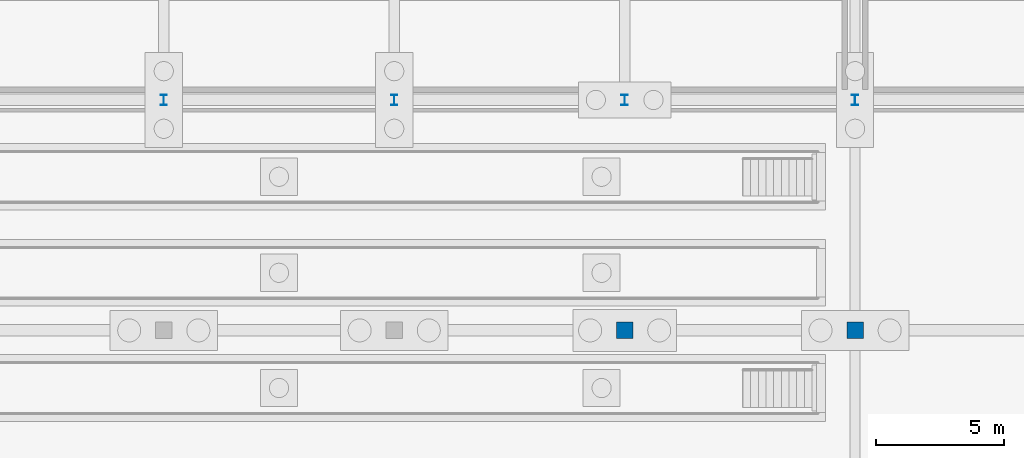
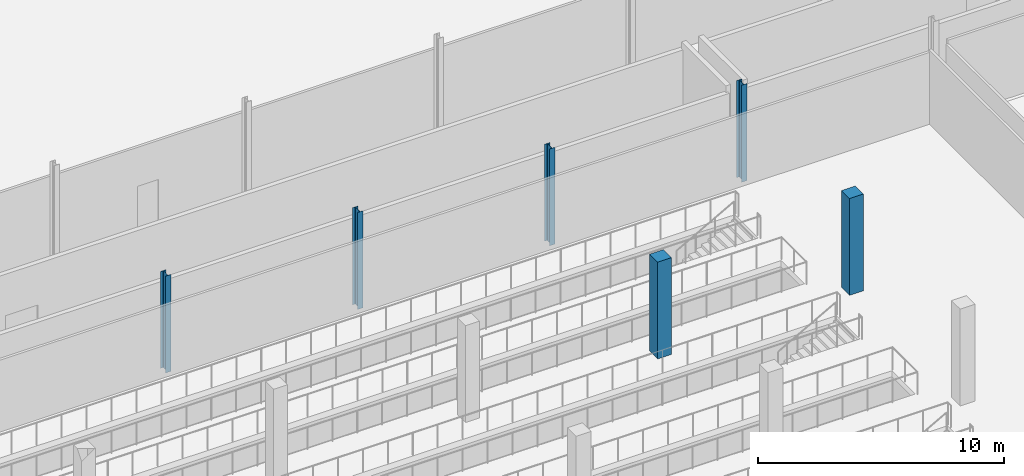
# One storey, part 22 of 112: 6 columns.
"""IFC4 building model written with IfcOpenShell, lengths in metres."""

from ifc_helpers import new_model, si_unit, direction, frame, origin, origin_2d, place, context, subcontext, project, spatial, rectangle, i_section, extrude, material, material_profile, profile_set, type_object, element, save


model = new_model("IFC4")

# Units and contexts
model_context = context("Model", 3, precision=1e-05, world=origin(), true_north=direction((0.0, 1.0)))
body_context = subcontext(model_context, "Body", "Model", "MODEL_VIEW")
ifc_project = project(units=[si_unit("LENGTHUNIT", "METRE"), si_unit("AREAUNIT", "SQUARE_METRE"), si_unit("VOLUMEUNIT", "CUBIC_METRE"), si_unit("PLANEANGLEUNIT", "RADIAN"), si_unit("MASSUNIT", "GRAM", prefix="KILO")], contexts=[model_context])

# Site, building, storey
site_placement = place(None, origin())
site = spatial("IfcSite", under=ifc_project, at=site_placement, CompositionType="ELEMENT")
building_placement = place(site_placement, origin())
building = spatial("IfcBuilding", under=site, at=building_placement, Name="Tharagai Park Tramway Depot", CompositionType="ELEMENT")
storey_placement = place(building_placement, origin())
storey = spatial("IfcBuildingStorey", under=building, at=storey_placement, Name="L00", CompositionType="ELEMENT", Elevation=0.0)

# Columns
ifc_material_1 = material(Name="Steel E350", Category="steel")
ifc_material_profile_1 = material_profile(ifc_material_1, i_section(OverallWidth=0.25, OverallDepth=0.39990234375, WebThickness=0.010498046875, FlangeThickness=0.0126953125, FilletRadius=0.013916015625, at=origin_2d()), Name="ISHB 400")
ifc_profile_set_1 = profile_set([ifc_material_profile_1], Name="Steel E350")
column_type_1 = type_object("IfcColumnType", Name="CL-06", PredefinedType="COLUMN", material=ifc_profile_set_1)
for number, where, z_axis, x_axis, name in (
    (1, (27.0, 90.0, 0.0), (0.0, 0.0, 1.0), (1.0, 0.0, 0.0), "L00 Structural Column CL-06 (27,90)"),
    (2, (36.0, 90.0, 0.0), (0.0, 0.0, 1.0), (1.0, 0.0, 0.0), "L00 Structural Column CL-06 (36,90)"),
    (3, (45.0, 90.0, 0.0), (0.0, 0.0, 1.0), (1.0, 0.0, 0.0), "L00 Structural Column CL-06 (45,90)"),
    (4, (54.0, 90.0, 0.0), (0.0, 0.0, 1.0), (1.0, 0.0, 0.0), "L00 Structural Column CL-06 (54,90)"),
):
    element("IfcColumn", number, at=place(storey_placement, frame(where, z_axis=z_axis, x_axis=x_axis)), inside=storey, type_object=column_type_1, Name=name, PredefinedType="COLUMN", context=body_context, shape_type="SweptSolid", body=[
        extrude(i_section(OverallWidth=0.25, OverallDepth=0.39990234375, WebThickness=0.010498046875, FlangeThickness=0.0126953125, FilletRadius=0.013916015625, at=origin_2d()), origin(), (0.0, 0.0, 1.0), 4.800048828125),
    ])
ifc_material_2 = material(Name="Concrete M40", Category="concrete")
ifc_material_profile_2 = material_profile(ifc_material_2, rectangle(XDim=0.64990234375, YDim=0.64990234375, at=origin_2d()), Name="RC 650x650")
ifc_profile_set_2 = profile_set([ifc_material_profile_2], Name="Concrete M40")
column_type_2 = type_object("IfcColumnType", Name="CL-12", PredefinedType="COLUMN", material=ifc_profile_set_2)
for number, where, z_axis, x_axis, name in (
    (5, (45.0, 81.0, 0.0), (0.0, 0.0, 1.0), (1.0, 0.0, 0.0), "L00 Structural Column CL-12 (45,81)"),
    (6, (54.0, 81.0, 0.0), (0.0, 0.0, 1.0), (1.0, 0.0, 0.0), "L00 Structural Column CL-12 (54,81)"),
):
    element("IfcColumn", number, at=place(storey_placement, frame(where, z_axis=z_axis, x_axis=x_axis)), inside=storey, type_object=column_type_2, Name=name, PredefinedType="COLUMN", context=body_context, shape_type="SweptSolid", body=[
        extrude(rectangle(XDim=0.64990234375, YDim=0.64990234375, at=origin_2d()), origin(), (0.0, 0.0, 1.0), 4.800048828125),
    ])

save(model, "model.ifc")
